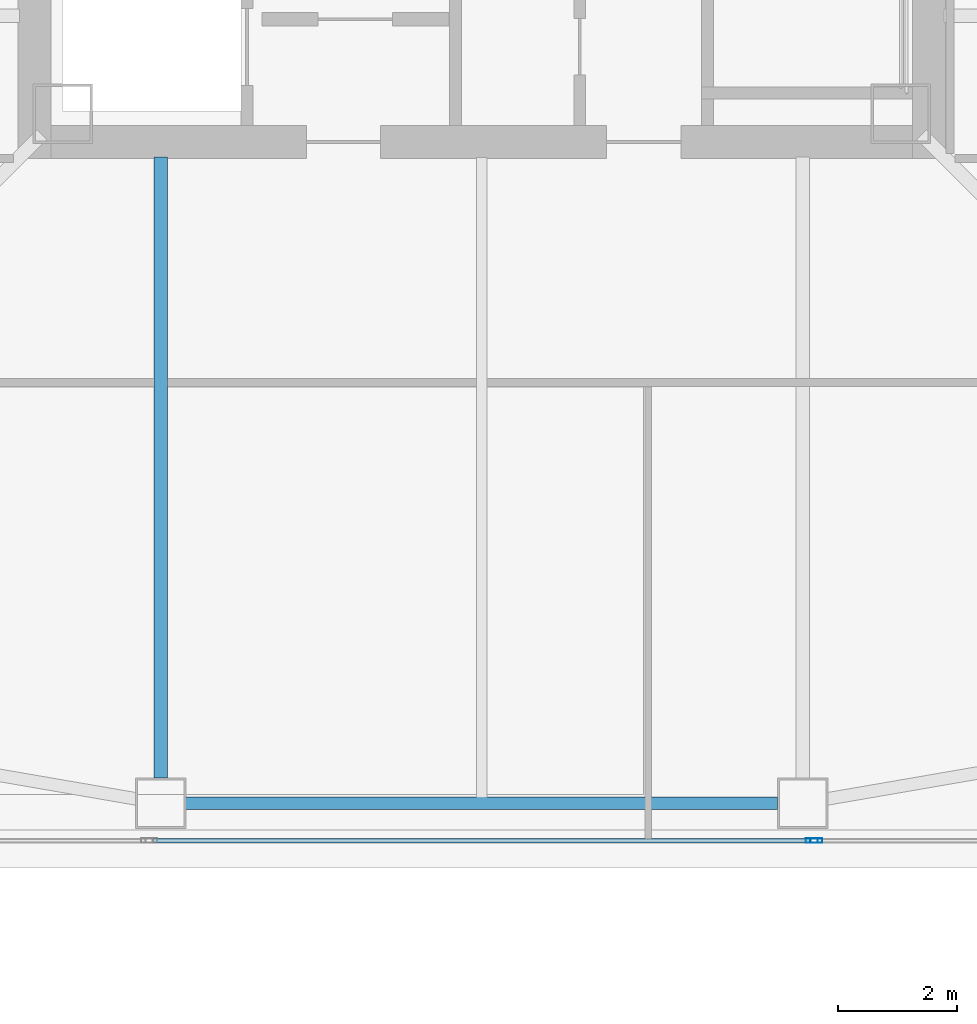
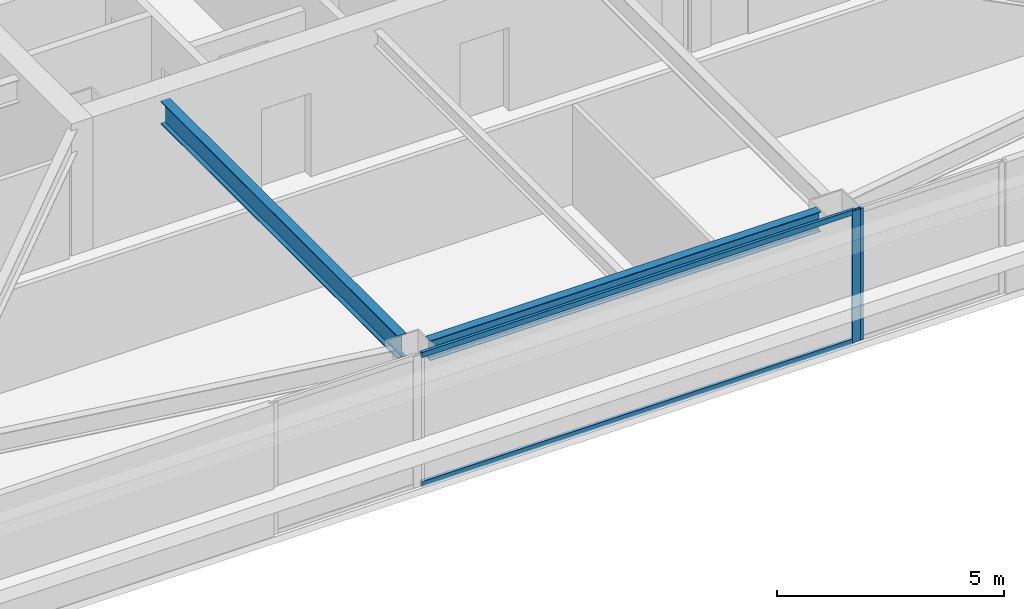
# One storey, part 5 of 40: 4 members, 2 beams, 2 elements without a shape of their own.
"""IFC4 building model written with IfcOpenShell, lengths in metres."""

import ifcopenshell
import ifcopenshell.guid

model = None  # the IFC model being written
_history = None  # IfcOwnerHistory: only IFC2X3 demands one
_inside = {}  # id of a spatial element -> (the spatial element, [elements in it])
_under = {}  # id of a project, library or spatial element -> (it, [spatial elements below it])
_declared = {}  # id of a project -> (the project, [libraries it declares])
_typed = {}  # id of a type object -> (the type object, [elements of that type])
_made_of = {}  # id of a material, layer set ... -> (it, [elements and type objects made of it])


def new_model(schema):
    """Start an empty IFC model of exactly this schema.

    Asked for "IFC4X3", IfcOpenShell would pick the latest addendum, in which some entities
    have other attributes; the version numbers below select the first issue.
    IFC2X3 requires an IfcOwnerHistory on every rooted entity: one is made here for all.
    """
    global model, _history
    if schema == "IFC4X3":
        model = ifcopenshell.file(schema_version=(4, 3, 0, 0))
    else:
        model = ifcopenshell.file(schema=schema)
    _inside.clear()
    _under.clear()
    _declared.clear()
    _typed.clear()
    _made_of.clear()
    _history = None
    if model.schema == "IFC2X3":
        org = make("IfcOrganization", Name="unknown")
        user = make(
            "IfcPersonAndOrganization",
            ThePerson=make("IfcPerson", FamilyName="unknown"),
            TheOrganization=org,
        )
        app = make(
            "IfcApplication",
            ApplicationDeveloper=org,
            Version="unknown",
            ApplicationFullName="unknown",
            ApplicationIdentifier="unknown",
        )
        _history = make(
            "IfcOwnerHistory",
            OwningUser=user,
            OwningApplication=app,
            ChangeAction="ADDED",
            CreationDate=0,
        )
    return model


def make(cls, **values):
    """One entity of the class cls with the attributes given. An attribute that is None is left unset."""
    return model.create_entity(
        cls, **{name: value for name, value in values.items() if value is not None}
    )


def rooted(cls, **values):
    """An entity with a GlobalId (a new one), such as an element, a storey or a relation."""
    return make(cls, GlobalId=ifcopenshell.guid.new(), OwnerHistory=_history, **values)


def si_unit(unit_type, name, prefix=None):
    """IfcSIUnit, for example si_unit("LENGTHUNIT", "METRE", prefix="MILLI")."""
    return make("IfcSIUnit", UnitType=unit_type, Prefix=prefix, Name=name)


def assignment(units):
    """IfcUnitAssignment: the units of a project."""
    return None if units is None else make("IfcUnitAssignment", Units=units)


def point(xyz):
    """IfcCartesianPoint."""
    return None if xyz is None else make("IfcCartesianPoint", Coordinates=xyz)


def direction(xyz):
    """IfcDirection."""
    return None if xyz is None else make("IfcDirection", DirectionRatios=xyz)


def frame(location, z_axis=None, x_axis=None):
    """IfcAxis2Placement3D, a coordinate frame: its origin and axes. An axis left out is left unset."""
    return make(
        "IfcAxis2Placement3D",
        Location=point(location),
        Axis=direction(z_axis),
        RefDirection=direction(x_axis),
    )


def frame_2d(location, x_axis=None):
    """IfcAxis2Placement2D, a coordinate frame in the plane: its origin and x axis."""
    return make(
        "IfcAxis2Placement2D", Location=point(location), RefDirection=direction(x_axis)
    )


def origin():
    """The frame at (0, 0, 0) with its axes left unset."""
    return frame((0.0, 0.0, 0.0))


def origin_2d():
    """The frame at (0, 0) in the plane with its x axis left unset."""
    return frame_2d((0.0, 0.0))


def place(relative_to, where):
    """IfcLocalPlacement: puts the frame where relative to a parent placement (None: the world)."""
    return make(
        "IfcLocalPlacement", PlacementRelTo=relative_to, RelativePlacement=where
    )


def context(
    kind, dimensions, precision=None, world=None, true_north=None, identifier=None
):
    """IfcGeometricRepresentationContext, for example the 3D "Model" context."""
    return make(
        "IfcGeometricRepresentationContext",
        ContextIdentifier=identifier,
        ContextType=kind,
        CoordinateSpaceDimension=dimensions,
        Precision=precision,
        WorldCoordinateSystem=world,
        TrueNorth=true_north,
    )


def subcontext(parent, identifier, kind, view, scale=None):
    """IfcGeometricRepresentationSubContext, for example "Body" below "Model"."""
    return make(
        "IfcGeometricRepresentationSubContext",
        ContextIdentifier=identifier,
        ContextType=kind,
        ParentContext=parent,
        TargetScale=scale,
        TargetView=view,
    )


def project(units=None, contexts=None):
    """IfcProject with its units and contexts."""
    return rooted(
        "IfcProject",
        Name="project",
        RepresentationContexts=contexts,
        UnitsInContext=assignment(units),
    )


def spatial(cls, under=None, at=None, **own):
    """A site, building, storey or space (cls), placed at a placement, below another one or the project."""
    s = rooted(cls, ObjectPlacement=at, **own)
    if under is not None:
        _under.setdefault(under.id(), (under, []))[1].append(s)
    return s


def profile(cls, at=None, kind="AREA", **sizes):
    """A parametric profile (cls). Its sizes go by their IFC names, for example OverallWidth=200.0."""
    return make(cls, ProfileType=kind, Position=at, **sizes)


def hollow_rectangle(**sizes):
    """IfcRectangleHollowProfileDef."""
    return profile("IfcRectangleHollowProfileDef", **sizes)


def i_section(**sizes):
    """IfcIShapeProfileDef."""
    return profile("IfcIShapeProfileDef", **sizes)


def extrude(swept, where, along, depth):
    """IfcExtrudedAreaSolid: the profile swept, set in the frame where, extruded along a direction by depth."""
    return make(
        "IfcExtrudedAreaSolid",
        SweptArea=swept,
        Position=where,
        ExtrudedDirection=direction(along),
        Depth=depth,
    )


def shape(context_of_items, identifier, shape_type, items):
    """IfcShapeRepresentation: the items that make up one representation, for example the "Body"."""
    return make(
        "IfcShapeRepresentation",
        ContextOfItems=context_of_items,
        RepresentationIdentifier=identifier,
        RepresentationType=shape_type,
        Items=items,
    )


def material(Name=None, Category=None):
    """IfcMaterial."""
    return make("IfcMaterial", Name=Name, Category=Category)


def material_profile(
    of_material, cross_section, Name=None, Category=None, Priority=None
):
    """IfcMaterialProfile: a cross section and its material."""
    return make(
        "IfcMaterialProfile",
        Name=Name,
        Material=of_material,
        Profile=cross_section,
        Priority=Priority,
        Category=Category,
    )


def profile_set(profiles, Name=None, composite=None):
    """IfcMaterialProfileSet."""
    return make(
        "IfcMaterialProfileSet",
        Name=Name,
        MaterialProfiles=profiles,
        CompositeProfile=composite,
    )


def made_of(thing, what):
    """Note that an element or type object is made of a material, layer set ...; save() writes the relation."""
    if what is not None:
        _made_of.setdefault(what.id(), (what, []))[1].append(thing)
    return thing


def type_object(cls, material=None, **own):
    """A type object (cls), such as IfcWallType, which elements share."""
    return made_of(rooted(cls, **own), material)


def element(
    cls,
    number,
    at=None,
    inside=None,
    cuts=None,
    type_object=None,
    material=None,
    context=None,
    identifier="Body",
    shape_type=None,
    held_by="IfcProductDefinitionShape",
    body=None,
    shapes=None,
    **own,
):
    """One element of the class cls, such as IfcWall. Its Tag is "e" and its number.

    at: its placement. inside: the storey or other place that contains it. cuts: it is an
    opening in that element (IfcRelVoidsElement). A single representation is given by context,
    identifier, shape_type and body (its items); several are given by shapes. held_by: the class
    of the entity that holds the representations. save() writes the other relations.
    """
    e = rooted(cls, Tag="e%d" % number, ObjectPlacement=at, **own)
    if body is not None:
        shapes = [shape(context, identifier, shape_type, body)]
    if shapes is not None:
        e.Representation = make(held_by, Representations=shapes)
    if inside is not None:
        _inside.setdefault(inside.id(), (inside, []))[1].append(e)
    if cuts is not None:
        rooted(
            "IfcRelVoidsElement", RelatingBuildingElement=cuts, RelatedOpeningElement=e
        )
    if type_object is not None:
        _typed.setdefault(type_object.id(), (type_object, []))[1].append(e)
    return made_of(e, material)


def aggregate(whole, parts):
    """IfcRelAggregates: a whole, such as a stair, and the parts it consists of."""
    return rooted("IfcRelAggregates", RelatingObject=whole, RelatedObjects=parts)


def save(model, path):
    """Write the relations noted so far, then the file.

    IfcRelAggregates (storeys below a building ...), IfcRelContainedInSpatialStructure (elements
    in a storey), IfcRelDefinesByType, IfcRelAssociatesMaterial and IfcRelDeclares: one each for
    every whole, place, type object, material and project.
    """
    for whole, parts in _under.values():
        aggregate(whole, parts)
    for where, things in _inside.values():
        rooted(
            "IfcRelContainedInSpatialStructure",
            RelatedElements=things,
            RelatingStructure=where,
        )
    for kind, things in _typed.values():
        rooted("IfcRelDefinesByType", RelatedObjects=things, RelatingType=kind)
    for what, things in _made_of.values():
        rooted("IfcRelAssociatesMaterial", RelatedObjects=things, RelatingMaterial=what)
    for by, libraries in _declared.values():
        rooted("IfcRelDeclares", RelatingContext=by, RelatedDefinitions=libraries)
    model.write(path)


model = new_model("IFC4")

# Units and contexts
model_context = context("Model", 3, precision=1e-05, world=origin(), true_north=direction((0.0, 1.0)))
body_context = subcontext(model_context, "Body", "Model", "MODEL_VIEW")
ifc_project = project(units=[si_unit("LENGTHUNIT", "METRE"), si_unit("AREAUNIT", "SQUARE_METRE"), si_unit("VOLUMEUNIT", "CUBIC_METRE"), si_unit("PLANEANGLEUNIT", "RADIAN"), si_unit("MASSUNIT", "GRAM", prefix="KILO")], contexts=[model_context])

# Site, building, storey
site_placement = place(None, origin())
site = spatial("IfcSite", under=ifc_project, at=site_placement, CompositionType="ELEMENT")
building_placement = place(site_placement, origin())
building = spatial("IfcBuilding", under=site, at=building_placement, Name="Tashvorn Skyway Center", CompositionType="ELEMENT")
storey_placement = place(building_placement, frame((0.0, 0.0, 142.800048828125)))
storey = spatial("IfcBuildingStorey", under=building, at=storey_placement, Name="L38", CompositionType="ELEMENT", Elevation=142.800048828125)

# Beams
ifc_material_1 = material(Name="Steel ASTM A992 Grade 50", Category="steel")
ifc_material_profile_1 = material_profile(ifc_material_1, i_section(OverallWidth=0.22998046875, OverallDepth=0.616943359375, WebThickness=0.01318359375, FlangeThickness=0.022216796875, at=origin_2d()), Name="W24X94")
ifc_profile_set_1 = profile_set([ifc_material_profile_1], Name="Steel ASTM A992 Grade 50")
beam_type_1 = type_object("IfcBeamType", Name="BM-BEAM-W24X94", PredefinedType="BEAM", material=ifc_profile_set_1)
beam_1_placement = place(storey_placement, frame((36.60009765625, 13.77001953125, 3.0615234375), z_axis=(0.0, 1.0, 0.0), x_axis=(-1.0, 0.0, 0.0)))
element("IfcBeam", 1, at=beam_1_placement, inside=storey, type_object=beam_type_1, Name="Tower 1 L38 Primary Floor Girder FC-S1", PredefinedType="BEAM", context=body_context, shape_type="SweptSolid", body=[
    extrude(i_section(OverallWidth=0.22998046875, OverallDepth=0.616943359375, WebThickness=0.01318359375, FlangeThickness=0.022216796875, at=origin_2d()), origin(), (0.0, 0.0, 1.0), 10.449951171875),
])
ifc_material_profile_2 = material_profile(ifc_material_1, i_section(OverallWidth=0.2109375, OverallDepth=0.5390625, WebThickness=0.01171875, FlangeThickness=0.018798828125, at=origin_2d()), Name="W21X73")
ifc_profile_set_2 = profile_set([ifc_material_profile_2], Name="Steel ASTM A992 Grade 50")
beam_type_2 = type_object("IfcBeamType", Name="BM-SPANDREL-W21X73", PredefinedType="SPANDREL", material=ifc_profile_set_2)
beam_2_placement = place(storey_placement, frame((37.02001953125, 13.35009765625, 3.100341796875), z_axis=(1.0, 0.0, 0.0), x_axis=(0.0, 1.0, 0.0)))
element("IfcBeam", 2, at=beam_2_placement, inside=storey, type_object=beam_type_2, Name="Tower 1 L38 Spandrel Beam 02", PredefinedType="SPANDREL", context=body_context, shape_type="SweptSolid", body=[
    extrude(i_section(OverallWidth=0.2109375, OverallDepth=0.5390625, WebThickness=0.01171875, FlangeThickness=0.018798828125, at=origin_2d()), origin(), (0.0, 0.0, 1.0), 9.9599609375),
])

# Curtain wall, member
ifc_material_2 = material(Name="Thermally broken bronze-anodized aluminium 6063-T6", Category="aluminium")
curtain_wall_type = type_object("IfcCurtainWallType", Name="CW-CW-Z3", PredefinedType="NOTDEFINED", material=ifc_material_2)
curtain_wall_1_placement = place(storey_placement, origin())
curtain_wall_1 = element("IfcCurtainWall", 3, at=curtain_wall_1_placement, inside=storey, type_object=curtain_wall_type, Name="Tower 1 L38 South Unitised Curtain Wall Glazing Group 1", PredefinedType="NOTDEFINED")
ifc_material_profile_3 = material_profile(ifc_material_2, hollow_rectangle(XDim=0.074951171875, YDim=0.199951171875, WallThickness=0.00439453125, at=origin_2d()), Name="ALU-MULL-75x200")
ifc_profile_set_3 = profile_set([ifc_material_profile_3], Name="Thermally broken bronze-anodized aluminium 6063-T6")
member_type_1 = type_object("IfcMemberType", Name="CWM-CW-Z3", PredefinedType="MULLION", material=ifc_profile_set_3)
member_1_placement = place(storey_placement, frame((47.630859375, 12.719970703125, 0.0), z_axis=(0.0, 0.0, 1.0), x_axis=(0.0, -1.0, 0.0)))
member_1 = element("IfcMember", 4, at=member_1_placement, type_object=member_type_1, Name="CW-Z3 mullion 2", PredefinedType="MULLION", context=body_context, shape_type="SweptSolid", body=[
    extrude(hollow_rectangle(XDim=0.074951171875, YDim=0.199951171875, WallThickness=0.00439453125, at=origin_2d()), origin(), (0.0, 0.0, 1.0), 3.550048828125),
])
aggregate(curtain_wall_1, [member_1])

# Curtain wall, members
curtain_wall_2_placement = place(storey_placement, origin())
curtain_wall_2 = element("IfcCurtainWall", 5, at=curtain_wall_2_placement, inside=storey, type_object=curtain_wall_type, Name="Tower 1 L38 South Unitised Curtain Wall Glazing Group 2", PredefinedType="NOTDEFINED")
member_2_placement = place(storey_placement, frame((47.555908203125, 12.719970703125, 0.0), z_axis=(0.0, 0.0, 1.0), x_axis=(0.0, -1.0, 0.0)))
member_2 = element("IfcMember", 6, at=member_2_placement, type_object=member_type_1, Name="CW-Z3 mullion 1", PredefinedType="MULLION", context=body_context, shape_type="SweptSolid", body=[
    extrude(hollow_rectangle(XDim=0.074951171875, YDim=0.199951171875, WallThickness=0.00439453125, at=origin_2d()), origin(), (0.0, 0.0, 1.0), 3.550048828125),
])
ifc_material_profile_4 = material_profile(ifc_material_2, hollow_rectangle(XDim=0.074951171875, YDim=0.139892578125, WallThickness=0.004150390625, at=origin_2d()), Name="ALU-TRAN-75x140")
ifc_profile_set_4 = profile_set([ifc_material_profile_4], Name="Thermally broken bronze-anodized aluminium 6063-T6")
member_type_2 = type_object("IfcMemberType", Name="CWT-CW-Z3", PredefinedType="USERDEFINED", material=ifc_profile_set_4)
member_3_placement = place(storey_placement, frame((47.518310546875, 12.719970703125, 0.037353515625), z_axis=(-1.0, 0.0, 0.0), x_axis=(0.0, -1.0, 0.0)))
member_3 = element("IfcMember", 7, at=member_3_placement, type_object=member_type_2, Name="CW-Z3 transom 1.1", ObjectType="TRANSOM", PredefinedType="USERDEFINED", context=body_context, shape_type="SweptSolid", body=[
    extrude(hollow_rectangle(XDim=0.074951171875, YDim=0.139892578125, WallThickness=0.004150390625, at=origin_2d()), origin(), (0.0, 0.0, 1.0), 11.03662109375),
])
member_4_placement = place(storey_placement, frame((47.518310546875, 12.719970703125, 3.512451171875), z_axis=(-1.0, 0.0, 0.0), x_axis=(0.0, -1.0, 0.0)))
member_4 = element("IfcMember", 8, at=member_4_placement, type_object=member_type_2, Name="CW-Z3 transom 1.2", ObjectType="TRANSOM", PredefinedType="USERDEFINED", context=body_context, shape_type="SweptSolid", body=[
    extrude(hollow_rectangle(XDim=0.074951171875, YDim=0.139892578125, WallThickness=0.004150390625, at=origin_2d()), origin(), (0.0, 0.0, 1.0), 11.03662109375),
])
aggregate(curtain_wall_2, [member_2, member_3, member_4])

save(model, "model.ifc")
